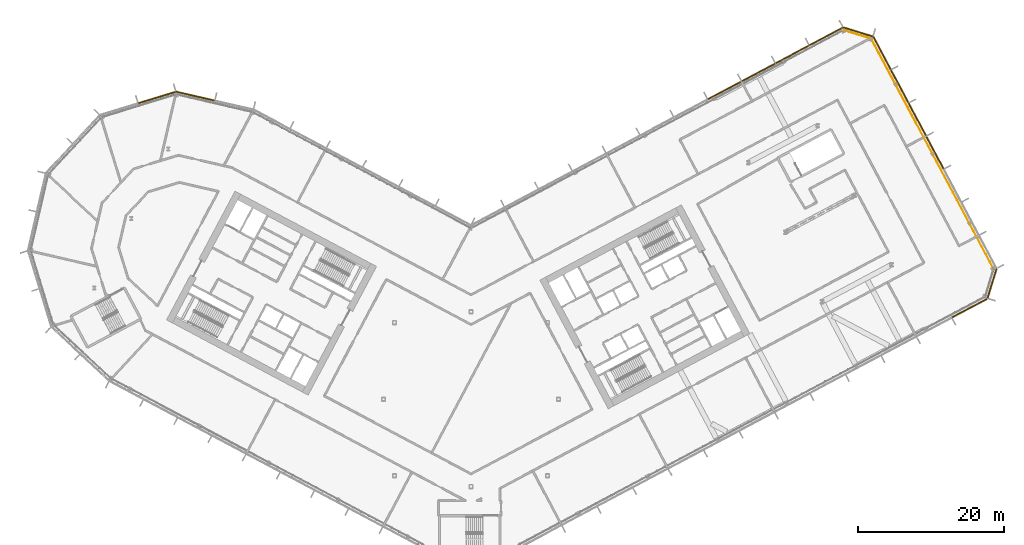
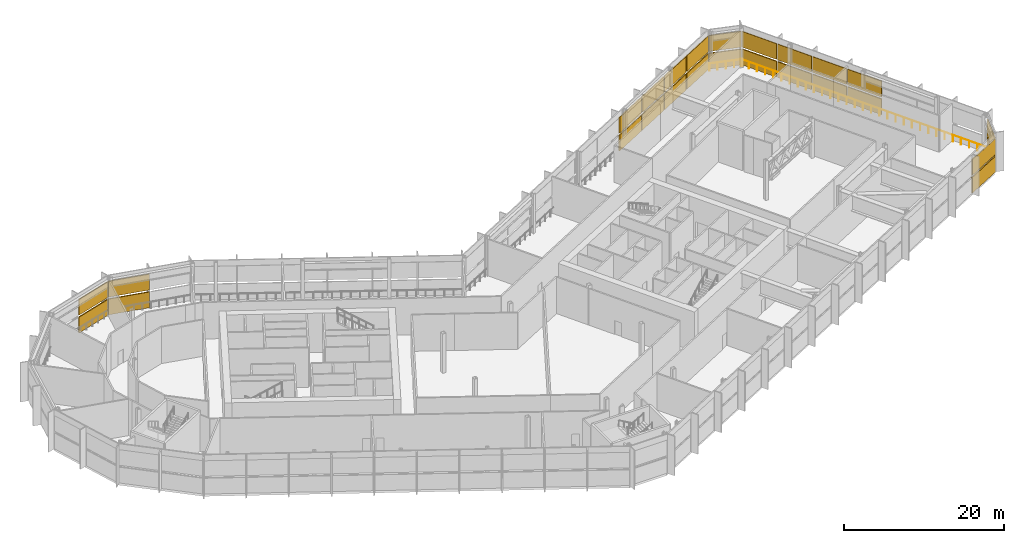
# One storey, part 32 of 33: 26 shading devices, 2 railings, 7 elements without a shape of their own.
"""IFC4 building model written with IfcOpenShell, lengths in metres."""

from ifc_helpers import new_model, si_unit, direction, frame, origin, origin_2d, place, context, subcontext, project, spatial, polyline, rectangle, outline, extrude, material, layer, layer_set, type_object, element, aggregate, save


model = new_model("IFC4")

# Units and contexts
model_context = context("Model", 3, precision=1e-05, world=origin(), true_north=direction((0.0, 1.0)))
body_context = subcontext(model_context, "Body", "Model", "MODEL_VIEW")
ifc_project = project(units=[si_unit("LENGTHUNIT", "METRE"), si_unit("AREAUNIT", "SQUARE_METRE"), si_unit("VOLUMEUNIT", "CUBIC_METRE"), si_unit("PLANEANGLEUNIT", "RADIAN"), si_unit("MASSUNIT", "GRAM", prefix="KILO")], contexts=[model_context])

# Site, building, storey
site_placement = place(None, origin())
site = spatial("IfcSite", under=ifc_project, at=site_placement, CompositionType="ELEMENT")
building_placement = place(site_placement, origin())
building = spatial("IfcBuilding", under=site, at=building_placement, Name="Cormorant Relay Tower", CompositionType="ELEMENT")
storey_placement = place(building_placement, frame((0.0, 0.0, 112.199951171875)))
storey = spatial("IfcBuildingStorey", under=building, at=storey_placement, Name="L22", CompositionType="ELEMENT", Elevation=112.199951171875)

# Railings
ifc_material_1 = material(Name="Stainless steel 316 guard", Category="steel")
railing_type = type_object("IfcRailingType", Name="Band louvre guard 1100", PredefinedType="GUARDRAIL", material=ifc_material_1)
railing_1_placement = place(storey_placement, frame((71.7578125, 17.76806640625, 0.0)))
element("IfcRailing", 1, at=railing_1_placement, inside=storey, type_object=railing_type, Name="CW4 guard 4", PredefinedType="GUARDRAIL", context=body_context, shape_type="SweptSolid", body=[
    extrude(outline(polyline([(0.022216796875, 0.00927734375), (0.00927734375, 0.022216796875), (-0.00927734375, 0.022216796875), (-0.022216796875, 0.00927734375), (-0.022216796875, -0.00927734375), (-0.00927734375, -0.022216796875), (0.00927734375, -0.022216796875), (0.022216796875, -0.00927734375), (0.022216796875, 0.00927734375)])), frame((0.0, 0.0, 1.076171875), z_axis=(-0.469469230355, 0.88294883303, 0.0), x_axis=(-0.88294883303, -0.469469230355, 0.0)), (0.0, 0.0, 1.0), 36.0),
    extrude(outline(polyline([(0.019287109375, 0.008056640625), (0.008056640625, 0.019287109375), (-0.008056640625, 0.019287109375), (-0.019287109375, 0.008056640625), (-0.019287109375, -0.008056640625), (-0.008056640625, -0.019287109375), (0.008056640625, -0.019287109375), (0.019287109375, -0.008056640625), (0.019287109375, 0.008056640625)])), origin(), (0.0, 0.0, 1.0), 1.052001953125),
    extrude(outline(polyline([(0.019287109375, 0.008056640625), (0.008056640625, 0.019287109375), (-0.008056640625, 0.019287109375), (-0.019287109375, 0.008056640625), (-0.019287109375, -0.008056640625), (-0.008056640625, -0.019287109375), (0.008056640625, -0.019287109375), (0.019287109375, -0.008056640625), (0.019287109375, 0.008056640625)])), frame((-0.5634765625, 1.0595703125, 0.0)), (0.0, 0.0, 1.0), 1.052001953125),
    extrude(outline(polyline([(0.019287109375, 0.008056640625), (0.008056640625, 0.019287109375), (-0.008056640625, 0.019287109375), (-0.019287109375, 0.008056640625), (-0.019287109375, -0.008056640625), (-0.008056640625, -0.019287109375), (0.008056640625, -0.019287109375), (0.019287109375, -0.008056640625), (0.019287109375, 0.008056640625)])), frame((-1.126708984375, 2.119140625, 0.0)), (0.0, 0.0, 1.0), 1.052001953125),
    extrude(outline(polyline([(0.019287109375, 0.008056640625), (0.008056640625, 0.019287109375), (-0.008056640625, 0.019287109375), (-0.019287109375, 0.008056640625), (-0.019287109375, -0.008056640625), (-0.008056640625, -0.019287109375), (0.008056640625, -0.019287109375), (0.019287109375, -0.008056640625), (0.019287109375, 0.008056640625)])), frame((-1.690185546875, 3.1787109375, 0.0)), (0.0, 0.0, 1.0), 1.052001953125),
    extrude(outline(polyline([(0.019287109375, 0.008056640625), (0.008056640625, 0.019287109375), (-0.008056640625, 0.019287109375), (-0.019287109375, 0.008056640625), (-0.019287109375, -0.008056640625), (-0.008056640625, -0.019287109375), (0.008056640625, -0.019287109375), (0.019287109375, -0.008056640625), (0.019287109375, 0.008056640625)])), frame((-2.25341796875, 4.238037109375, 0.0)), (0.0, 0.0, 1.0), 1.052001953125),
    extrude(outline(polyline([(0.019287109375, 0.008056640625), (0.008056640625, 0.019287109375), (-0.008056640625, 0.019287109375), (-0.019287109375, 0.008056640625), (-0.019287109375, -0.008056640625), (-0.008056640625, -0.019287109375), (0.008056640625, -0.019287109375), (0.019287109375, -0.008056640625), (0.019287109375, 0.008056640625)])), frame((-2.81689453125, 5.297607421875, 0.0)), (0.0, 0.0, 1.0), 1.052001953125),
    extrude(outline(polyline([(0.019287109375, 0.008056640625), (0.008056640625, 0.019287109375), (-0.008056640625, 0.019287109375), (-0.019287109375, 0.008056640625), (-0.019287109375, -0.008056640625), (-0.008056640625, -0.019287109375), (0.008056640625, -0.019287109375), (0.019287109375, -0.008056640625), (0.019287109375, 0.008056640625)])), frame((-3.380126953125, 6.357177734375, 0.0)), (0.0, 0.0, 1.0), 1.052001953125),
    extrude(outline(polyline([(0.019287109375, 0.008056640625), (0.008056640625, 0.019287109375), (-0.008056640625, 0.019287109375), (-0.019287109375, 0.008056640625), (-0.019287109375, -0.008056640625), (-0.008056640625, -0.019287109375), (0.008056640625, -0.019287109375), (0.019287109375, -0.008056640625), (0.019287109375, 0.008056640625)])), frame((-3.943603515625, 7.416748046875, 0.0)), (0.0, 0.0, 1.0), 1.052001953125),
    extrude(outline(polyline([(0.019287109375, 0.008056640625), (0.008056640625, 0.019287109375), (-0.008056640625, 0.019287109375), (-0.019287109375, 0.008056640625), (-0.019287109375, -0.008056640625), (-0.008056640625, -0.019287109375), (0.008056640625, -0.019287109375), (0.019287109375, -0.008056640625), (0.019287109375, 0.008056640625)])), frame((-4.5068359375, 8.476318359375, 0.0)), (0.0, 0.0, 1.0), 1.052001953125),
    extrude(outline(polyline([(0.019287109375, 0.008056640625), (0.008056640625, 0.019287109375), (-0.008056640625, 0.019287109375), (-0.019287109375, 0.008056640625), (-0.019287109375, -0.008056640625), (-0.008056640625, -0.019287109375), (0.008056640625, -0.019287109375), (0.019287109375, -0.008056640625), (0.019287109375, 0.008056640625)])), frame((-5.0703125, 9.535888671875, 0.0)), (0.0, 0.0, 1.0), 1.052001953125),
    extrude(outline(polyline([(0.019287109375, 0.008056640625), (0.008056640625, 0.019287109375), (-0.008056640625, 0.019287109375), (-0.019287109375, 0.008056640625), (-0.019287109375, -0.008056640625), (-0.008056640625, -0.019287109375), (0.008056640625, -0.019287109375), (0.019287109375, -0.008056640625), (0.019287109375, 0.008056640625)])), frame((-5.633544921875, 10.595458984375, 0.0)), (0.0, 0.0, 1.0), 1.052001953125),
    extrude(outline(polyline([(0.019287109375, 0.008056640625), (0.008056640625, 0.019287109375), (-0.008056640625, 0.019287109375), (-0.019287109375, 0.008056640625), (-0.019287109375, -0.008056640625), (-0.008056640625, -0.019287109375), (0.008056640625, -0.019287109375), (0.019287109375, -0.008056640625), (0.019287109375, 0.008056640625)])), frame((-6.197021484375, 11.655029296875, 0.0)), (0.0, 0.0, 1.0), 1.052001953125),
    extrude(outline(polyline([(0.019287109375, 0.008056640625), (0.008056640625, 0.019287109375), (-0.008056640625, 0.019287109375), (-0.019287109375, 0.008056640625), (-0.019287109375, -0.008056640625), (-0.008056640625, -0.019287109375), (0.008056640625, -0.019287109375), (0.019287109375, -0.008056640625), (0.019287109375, 0.008056640625)])), frame((-6.76025390625, 12.71435546875, 0.0)), (0.0, 0.0, 1.0), 1.052001953125),
    extrude(outline(polyline([(0.019287109375, 0.008056640625), (0.008056640625, 0.019287109375), (-0.008056640625, 0.019287109375), (-0.019287109375, 0.008056640625), (-0.019287109375, -0.008056640625), (-0.008056640625, -0.019287109375), (0.008056640625, -0.019287109375), (0.019287109375, -0.008056640625), (0.019287109375, 0.008056640625)])), frame((-7.32373046875, 13.77392578125, 0.0)), (0.0, 0.0, 1.0), 1.052001953125),
    extrude(outline(polyline([(0.019287109375, 0.008056640625), (0.008056640625, 0.019287109375), (-0.008056640625, 0.019287109375), (-0.019287109375, 0.008056640625), (-0.019287109375, -0.008056640625), (-0.008056640625, -0.019287109375), (0.008056640625, -0.019287109375), (0.019287109375, -0.008056640625), (0.019287109375, 0.008056640625)])), frame((-7.886962890625, 14.83349609375, 0.0)), (0.0, 0.0, 1.0), 1.052001953125),
    extrude(outline(polyline([(0.019287109375, 0.008056640625), (0.008056640625, 0.019287109375), (-0.008056640625, 0.019287109375), (-0.019287109375, 0.008056640625), (-0.019287109375, -0.008056640625), (-0.008056640625, -0.019287109375), (0.008056640625, -0.019287109375), (0.019287109375, -0.008056640625), (0.019287109375, 0.008056640625)])), frame((-8.450439453125, 15.89306640625, 0.0)), (0.0, 0.0, 1.0), 1.052001953125),
    extrude(outline(polyline([(0.019287109375, 0.008056640625), (0.008056640625, 0.019287109375), (-0.008056640625, 0.019287109375), (-0.019287109375, 0.008056640625), (-0.019287109375, -0.008056640625), (-0.008056640625, -0.019287109375), (0.008056640625, -0.019287109375), (0.019287109375, -0.008056640625), (0.019287109375, 0.008056640625)])), frame((-9.013916015625, 16.95263671875, 0.0)), (0.0, 0.0, 1.0), 1.052001953125),
    extrude(outline(polyline([(0.019287109375, 0.008056640625), (0.008056640625, 0.019287109375), (-0.008056640625, 0.019287109375), (-0.019287109375, 0.008056640625), (-0.019287109375, -0.008056640625), (-0.008056640625, -0.019287109375), (0.008056640625, -0.019287109375), (0.019287109375, -0.008056640625), (0.019287109375, 0.008056640625)])), frame((-9.5771484375, 18.01220703125, 0.0)), (0.0, 0.0, 1.0), 1.052001953125),
    extrude(outline(polyline([(0.019287109375, 0.008056640625), (0.008056640625, 0.019287109375), (-0.008056640625, 0.019287109375), (-0.019287109375, 0.008056640625), (-0.019287109375, -0.008056640625), (-0.008056640625, -0.019287109375), (0.008056640625, -0.019287109375), (0.019287109375, -0.008056640625), (0.019287109375, 0.008056640625)])), frame((-10.140625, 19.07177734375, 0.0)), (0.0, 0.0, 1.0), 1.052001953125),
    extrude(outline(polyline([(0.019287109375, 0.008056640625), (0.008056640625, 0.019287109375), (-0.008056640625, 0.019287109375), (-0.019287109375, 0.008056640625), (-0.019287109375, -0.008056640625), (-0.008056640625, -0.019287109375), (0.008056640625, -0.019287109375), (0.019287109375, -0.008056640625), (0.019287109375, 0.008056640625)])), frame((-10.703857421875, 20.131103515625, 0.0)), (0.0, 0.0, 1.0), 1.052001953125),
    extrude(outline(polyline([(0.019287109375, 0.008056640625), (0.008056640625, 0.019287109375), (-0.008056640625, 0.019287109375), (-0.019287109375, 0.008056640625), (-0.019287109375, -0.008056640625), (-0.008056640625, -0.019287109375), (0.008056640625, -0.019287109375), (0.019287109375, -0.008056640625), (0.019287109375, 0.008056640625)])), frame((-11.267333984375, 21.190673828125, 0.0)), (0.0, 0.0, 1.0), 1.052001953125),
    extrude(outline(polyline([(0.019287109375, 0.008056640625), (0.008056640625, 0.019287109375), (-0.008056640625, 0.019287109375), (-0.019287109375, 0.008056640625), (-0.019287109375, -0.008056640625), (-0.008056640625, -0.019287109375), (0.008056640625, -0.019287109375), (0.019287109375, -0.008056640625), (0.019287109375, 0.008056640625)])), frame((-11.83056640625, 22.250244140625, 0.0)), (0.0, 0.0, 1.0), 1.052001953125),
    extrude(outline(polyline([(0.019287109375, 0.008056640625), (0.008056640625, 0.019287109375), (-0.008056640625, 0.019287109375), (-0.019287109375, 0.008056640625), (-0.019287109375, -0.008056640625), (-0.008056640625, -0.019287109375), (0.008056640625, -0.019287109375), (0.019287109375, -0.008056640625), (0.019287109375, 0.008056640625)])), frame((-12.39404296875, 23.309814453125, 0.0)), (0.0, 0.0, 1.0), 1.052001953125),
    extrude(outline(polyline([(0.019287109375, 0.008056640625), (0.008056640625, 0.019287109375), (-0.008056640625, 0.019287109375), (-0.019287109375, 0.008056640625), (-0.019287109375, -0.008056640625), (-0.008056640625, -0.019287109375), (0.008056640625, -0.019287109375), (0.019287109375, -0.008056640625), (0.019287109375, 0.008056640625)])), frame((-12.957275390625, 24.369384765625, 0.0)), (0.0, 0.0, 1.0), 1.052001953125),
    extrude(outline(polyline([(0.019287109375, 0.008056640625), (0.008056640625, 0.019287109375), (-0.008056640625, 0.019287109375), (-0.019287109375, 0.008056640625), (-0.019287109375, -0.008056640625), (-0.008056640625, -0.019287109375), (0.008056640625, -0.019287109375), (0.019287109375, -0.008056640625), (0.019287109375, 0.008056640625)])), frame((-13.520751953125, 25.428955078125, 0.0)), (0.0, 0.0, 1.0), 1.052001953125),
    extrude(outline(polyline([(0.019287109375, 0.008056640625), (0.008056640625, 0.019287109375), (-0.008056640625, 0.019287109375), (-0.019287109375, 0.008056640625), (-0.019287109375, -0.008056640625), (-0.008056640625, -0.019287109375), (0.008056640625, -0.019287109375), (0.019287109375, -0.008056640625), (0.019287109375, 0.008056640625)])), frame((-14.083984375, 26.488525390625, 0.0)), (0.0, 0.0, 1.0), 1.052001953125),
    extrude(outline(polyline([(0.019287109375, 0.008056640625), (0.008056640625, 0.019287109375), (-0.008056640625, 0.019287109375), (-0.019287109375, 0.008056640625), (-0.019287109375, -0.008056640625), (-0.008056640625, -0.019287109375), (0.008056640625, -0.019287109375), (0.019287109375, -0.008056640625), (0.019287109375, 0.008056640625)])), frame((-14.6474609375, 27.548095703125, 0.0)), (0.0, 0.0, 1.0), 1.052001953125),
    extrude(outline(polyline([(0.019287109375, 0.008056640625), (0.008056640625, 0.019287109375), (-0.008056640625, 0.019287109375), (-0.019287109375, 0.008056640625), (-0.019287109375, -0.008056640625), (-0.008056640625, -0.019287109375), (0.008056640625, -0.019287109375), (0.019287109375, -0.008056640625), (0.019287109375, 0.008056640625)])), frame((-15.210693359375, 28.607421875, 0.0)), (0.0, 0.0, 1.0), 1.052001953125),
    extrude(outline(polyline([(0.019287109375, 0.008056640625), (0.008056640625, 0.019287109375), (-0.008056640625, 0.019287109375), (-0.019287109375, 0.008056640625), (-0.019287109375, -0.008056640625), (-0.008056640625, -0.019287109375), (0.008056640625, -0.019287109375), (0.019287109375, -0.008056640625), (0.019287109375, 0.008056640625)])), frame((-15.774169921875, 29.6669921875, 0.0)), (0.0, 0.0, 1.0), 1.052001953125),
    extrude(outline(polyline([(0.019287109375, 0.008056640625), (0.008056640625, 0.019287109375), (-0.008056640625, 0.019287109375), (-0.019287109375, 0.008056640625), (-0.019287109375, -0.008056640625), (-0.008056640625, -0.019287109375), (0.008056640625, -0.019287109375), (0.019287109375, -0.008056640625), (0.019287109375, 0.008056640625)])), frame((-16.33740234375, 30.7265625, 0.0)), (0.0, 0.0, 1.0), 1.052001953125),
    extrude(outline(polyline([(0.019287109375, 0.008056640625), (0.008056640625, 0.019287109375), (-0.008056640625, 0.019287109375), (-0.019287109375, 0.008056640625), (-0.019287109375, -0.008056640625), (-0.008056640625, -0.019287109375), (0.008056640625, -0.019287109375), (0.019287109375, -0.008056640625), (0.019287109375, 0.008056640625)])), frame((-16.90087890625, 31.7861328125, 0.0)), (0.0, 0.0, 1.0), 1.052001953125),
])
railing_2_placement = place(storey_placement, frame((55.033935546875, 49.408203125, 0.0)))
element("IfcRailing", 2, at=railing_2_placement, inside=storey, type_object=railing_type, Name="CW4 guard 5", PredefinedType="GUARDRAIL", context=body_context, shape_type="SweptSolid", body=[
    extrude(outline(polyline([(0.022216796875, 0.00927734375), (0.00927734375, 0.022216796875), (-0.00927734375, 0.022216796875), (-0.022216796875, 0.00927734375), (-0.022216796875, -0.00927734375), (-0.00927734375, -0.022216796875), (0.00927734375, -0.022216796875), (0.022216796875, -0.00927734375), (0.022216796875, 0.00927734375)])), frame((0.0, 0.0, 1.076171875), z_axis=(-0.956314931686, 0.292338419362, 0.0), x_axis=(-0.292338419362, -0.956314931686, 0.0)), (0.0, 0.0, 1.0), 4.242431640625),
    extrude(outline(polyline([(0.019287109375, 0.008056640625), (0.008056640625, 0.019287109375), (-0.008056640625, 0.019287109375), (-0.019287109375, 0.008056640625), (-0.019287109375, -0.008056640625), (-0.008056640625, -0.019287109375), (0.008056640625, -0.019287109375), (0.019287109375, -0.008056640625), (0.019287109375, 0.008056640625)])), origin(), (0.0, 0.0, 1.0), 1.052001953125),
    extrude(outline(polyline([(0.019287109375, 0.008056640625), (0.008056640625, 0.019287109375), (-0.008056640625, 0.019287109375), (-0.019287109375, 0.008056640625), (-0.019287109375, -0.008056640625), (-0.008056640625, -0.019287109375), (0.008056640625, -0.019287109375), (0.019287109375, -0.008056640625), (0.019287109375, 0.008056640625)])), frame((-1.01416015625, 0.31005859375, 0.0)), (0.0, 0.0, 1.0), 1.052001953125),
    extrude(outline(polyline([(0.019287109375, 0.008056640625), (0.008056640625, 0.019287109375), (-0.008056640625, 0.019287109375), (-0.019287109375, 0.008056640625), (-0.019287109375, -0.008056640625), (-0.008056640625, -0.019287109375), (0.008056640625, -0.019287109375), (0.019287109375, -0.008056640625), (0.019287109375, 0.008056640625)])), frame((-2.028564453125, 0.6201171875, 0.0)), (0.0, 0.0, 1.0), 1.052001953125),
    extrude(outline(polyline([(0.019287109375, 0.008056640625), (0.008056640625, 0.019287109375), (-0.008056640625, 0.019287109375), (-0.019287109375, 0.008056640625), (-0.019287109375, -0.008056640625), (-0.008056640625, -0.019287109375), (0.008056640625, -0.019287109375), (0.019287109375, -0.008056640625), (0.019287109375, 0.008056640625)])), frame((-3.04296875, 0.93017578125, 0.0)), (0.0, 0.0, 1.0), 1.052001953125),
    extrude(outline(polyline([(0.019287109375, 0.008056640625), (0.008056640625, 0.019287109375), (-0.008056640625, 0.019287109375), (-0.019287109375, 0.008056640625), (-0.019287109375, -0.008056640625), (-0.008056640625, -0.019287109375), (0.008056640625, -0.019287109375), (0.019287109375, -0.008056640625), (0.019287109375, 0.008056640625)])), frame((-4.05712890625, 1.240234375, 0.0)), (0.0, 0.0, 1.0), 1.052001953125),
])

# Curtain wall, shading devices
ifc_material_2 = material(Name="Aluminium 6063-T6 anodised bronze", Category="aluminium")
ifc_layer = layer(ifc_material_2, 0.199951171875)
ifc_layer_set = layer_set([ifc_layer], Name="CW4 band louvre wall")
curtain_wall_type = type_object("IfcCurtainWallType", Name="CW4 band louvre wall", PredefinedType="NOTDEFINED", material=ifc_layer_set)
curtain_wall_1_placement = place(storey_placement, origin())
curtain_wall_1 = element("IfcCurtainWall", 3, at=curtain_wall_1_placement, inside=storey, type_object=curtain_wall_type, Name="CW4 curtain wall 2", PredefinedType="NOTDEFINED")
ifc_material_3 = material(Name="Aluminium 6063-T6 anodised bronze louvre", Category="aluminium")
shading_device_type = type_object("IfcShadingDeviceType", Name="CW4 bronze louvre bank 150 x 2400", PredefinedType="USERDEFINED", material=ifc_material_3)
shading_device_1_placement = place(storey_placement, frame((68.417236328125, 12.50927734375, 2.7001953125), z_axis=(0.0, 0.0, 1.0), x_axis=(0.882947592859, 0.469471562786, 0.0)))
shading_device_1 = element("IfcShadingDevice", 4, at=shading_device_1_placement, type_object=shading_device_type, Name="CW4 louvre bank U2.14", ObjectType="LOUVRE", PredefinedType="USERDEFINED", context=body_context, shape_type="SweptSolid", body=[
    extrude(rectangle(XDim=5.436767578125, YDim=0.14990234375, at=origin_2d()), origin(), (0.0, 0.0, 1.0), 2.39990234375),
])
shading_device_2_placement = place(storey_placement, frame((68.417236328125, 12.50927734375, 0.0), z_axis=(0.0, 0.0, 1.0), x_axis=(0.882947592859, 0.469471562786, 0.0)))
shading_device_2 = element("IfcShadingDevice", 5, at=shading_device_2_placement, type_object=shading_device_type, Name="CW4 louvre bank D2.14", ObjectType="LOUVRE", PredefinedType="USERDEFINED", context=body_context, shape_type="SweptSolid", body=[
    extrude(rectangle(XDim=5.436767578125, YDim=0.14990234375, at=origin_2d()), origin(), (0.0, 0.0, 1.0), 2.39990234375),
])
aggregate(curtain_wall_1, [shading_device_1, shading_device_2])

curtain_wall_2_placement = place(storey_placement, origin())
curtain_wall_2 = element("IfcCurtainWall", 6, at=curtain_wall_2_placement, inside=storey, type_object=curtain_wall_type, Name="CW4 curtain wall 3", PredefinedType="NOTDEFINED")
shading_device_3_placement = place(storey_placement, frame((71.485107421875, 15.894287109375, 2.7001953125), z_axis=(0.0, 0.0, 1.0), x_axis=(0.292371704723, 0.956304755963, 0.0)))
shading_device_3 = element("IfcShadingDevice", 7, at=shading_device_3_placement, type_object=shading_device_type, Name="CW4 louvre bank U3.1", ObjectType="LOUVRE", PredefinedType="USERDEFINED", context=body_context, shape_type="SweptSolid", body=[
    extrude(rectangle(XDim=4.16748046875, YDim=0.14990234375, at=origin_2d()), origin(), (0.0, 0.0, 1.0), 2.39990234375),
])
shading_device_4_placement = place(storey_placement, frame((71.485107421875, 15.894287109375, 0.0), z_axis=(0.0, 0.0, 1.0), x_axis=(0.292371704723, 0.956304755963, 0.0)))
shading_device_4 = element("IfcShadingDevice", 8, at=shading_device_4_placement, type_object=shading_device_type, Name="CW4 louvre bank D3.1", ObjectType="LOUVRE", PredefinedType="USERDEFINED", context=body_context, shape_type="SweptSolid", body=[
    extrude(rectangle(XDim=4.16748046875, YDim=0.14990234375, at=origin_2d()), origin(), (0.0, 0.0, 1.0), 2.39990234375),
])
aggregate(curtain_wall_2, [shading_device_3, shading_device_4])

curtain_wall_3_placement = place(storey_placement, origin())
curtain_wall_3 = element("IfcCurtainWall", 9, at=curtain_wall_3_placement, inside=storey, type_object=curtain_wall_type, Name="CW4 curtain wall 4", PredefinedType="NOTDEFINED")
shading_device_5_placement = place(storey_placement, frame((63.638427734375, 33.837158203125, 2.7001953125), z_axis=(0.0, 0.0, 1.0), x_axis=(-0.469471562786, 0.882947592859, 0.0)))
shading_device_5 = element("IfcShadingDevice", 10, at=shading_device_5_placement, type_object=shading_device_type, Name="CW4 louvre bank U4.4", ObjectType="LOUVRE", PredefinedType="USERDEFINED", context=body_context, shape_type="SweptSolid", body=[
    extrude(rectangle(XDim=4.992919921875, YDim=0.14990234375, at=origin_2d()), origin(), (0.0, 0.0, 1.0), 2.39990234375),
])
shading_device_6_placement = place(storey_placement, frame((63.638427734375, 33.837158203125, 0.0), z_axis=(0.0, 0.0, 1.0), x_axis=(-0.469471562786, 0.882947592859, 0.0)))
shading_device_6 = element("IfcShadingDevice", 11, at=shading_device_6_placement, type_object=shading_device_type, Name="CW4 louvre bank D4.4", ObjectType="LOUVRE", PredefinedType="USERDEFINED", context=body_context, shape_type="SweptSolid", body=[
    extrude(rectangle(XDim=4.992919921875, YDim=0.14990234375, at=origin_2d()), origin(), (0.0, 0.0, 1.0), 2.39990234375),
])
shading_device_7_placement = place(storey_placement, frame((61.22412109375, 38.3779296875, 2.7001953125), z_axis=(0.0, 0.0, 1.0), x_axis=(-0.469471562786, 0.882947592859, 0.0)))
shading_device_7 = element("IfcShadingDevice", 12, at=shading_device_7_placement, type_object=shading_device_type, Name="CW4 louvre bank U4.5", ObjectType="LOUVRE", PredefinedType="USERDEFINED", context=body_context, shape_type="SweptSolid", body=[
    extrude(rectangle(XDim=4.992919921875, YDim=0.14990234375, at=origin_2d()), origin(), (0.0, 0.0, 1.0), 2.39990234375),
])
shading_device_8_placement = place(storey_placement, frame((61.22412109375, 38.3779296875, 0.0), z_axis=(0.0, 0.0, 1.0), x_axis=(-0.469471562786, 0.882947592859, 0.0)))
shading_device_8 = element("IfcShadingDevice", 13, at=shading_device_8_placement, type_object=shading_device_type, Name="CW4 louvre bank D4.5", ObjectType="LOUVRE", PredefinedType="USERDEFINED", context=body_context, shape_type="SweptSolid", body=[
    extrude(rectangle(XDim=4.992919921875, YDim=0.14990234375, at=origin_2d()), origin(), (0.0, 0.0, 1.0), 2.39990234375),
])
shading_device_9_placement = place(storey_placement, frame((58.8095703125, 42.9189453125, 2.7001953125), z_axis=(0.0, 0.0, 1.0), x_axis=(-0.469471562786, 0.882947592859, 0.0)))
shading_device_9 = element("IfcShadingDevice", 14, at=shading_device_9_placement, type_object=shading_device_type, Name="CW4 louvre bank U4.6", ObjectType="LOUVRE", PredefinedType="USERDEFINED", context=body_context, shape_type="SweptSolid", body=[
    extrude(rectangle(XDim=4.992919921875, YDim=0.14990234375, at=origin_2d()), origin(), (0.0, 0.0, 1.0), 2.39990234375),
])
shading_device_10_placement = place(storey_placement, frame((58.8095703125, 42.9189453125, 0.0), z_axis=(0.0, 0.0, 1.0), x_axis=(-0.469471562786, 0.882947592859, 0.0)))
shading_device_10 = element("IfcShadingDevice", 15, at=shading_device_10_placement, type_object=shading_device_type, Name="CW4 louvre bank D4.6", ObjectType="LOUVRE", PredefinedType="USERDEFINED", context=body_context, shape_type="SweptSolid", body=[
    extrude(rectangle(XDim=4.992919921875, YDim=0.14990234375, at=origin_2d()), origin(), (0.0, 0.0, 1.0), 2.39990234375),
])
shading_device_11_placement = place(storey_placement, frame((56.377685546875, 47.492919921875, 2.7001953125), z_axis=(0.0, 0.0, 1.0), x_axis=(-0.469471562786, 0.882947592859, 0.0)))
shading_device_11 = element("IfcShadingDevice", 16, at=shading_device_11_placement, type_object=shading_device_type, Name="CW4 louvre bank U4.7", ObjectType="LOUVRE", PredefinedType="USERDEFINED", context=body_context, shape_type="SweptSolid", body=[
    extrude(rectangle(XDim=5.06787109375, YDim=0.14990234375, at=origin_2d()), origin(), (0.0, 0.0, 1.0), 2.39990234375),
])
shading_device_12_placement = place(storey_placement, frame((56.377685546875, 47.492919921875, 0.0), z_axis=(0.0, 0.0, 1.0), x_axis=(-0.469471562786, 0.882947592859, 0.0)))
shading_device_12 = element("IfcShadingDevice", 17, at=shading_device_12_placement, type_object=shading_device_type, Name="CW4 louvre bank D4.7", ObjectType="LOUVRE", PredefinedType="USERDEFINED", context=body_context, shape_type="SweptSolid", body=[
    extrude(rectangle(XDim=5.06787109375, YDim=0.14990234375, at=origin_2d()), origin(), (0.0, 0.0, 1.0), 2.39990234375),
])
aggregate(curtain_wall_3, [shading_device_5, shading_device_6, shading_device_7, shading_device_8, shading_device_9, shading_device_10, shading_device_11, shading_device_12])

curtain_wall_4_placement = place(storey_placement, origin())
curtain_wall_4 = element("IfcCurtainWall", 18, at=curtain_wall_4_placement, inside=storey, type_object=curtain_wall_type, Name="CW4 curtain wall 5", PredefinedType="NOTDEFINED")
shading_device_13_placement = place(storey_placement, frame((53.0791015625, 50.39794921875, 2.7001953125), z_axis=(0.0, 0.0, 1.0), x_axis=(-0.956304755963, 0.292371704723, 0.0)))
shading_device_13 = element("IfcShadingDevice", 19, at=shading_device_13_placement, type_object=shading_device_type, Name="CW4 louvre bank U5.1", ObjectType="LOUVRE", PredefinedType="USERDEFINED", context=body_context, shape_type="SweptSolid", body=[
    extrude(rectangle(XDim=4.16748046875, YDim=0.14990234375, at=origin_2d()), origin(), (0.0, 0.0, 1.0), 2.39990234375),
])
shading_device_14_placement = place(storey_placement, frame((53.0791015625, 50.39794921875, 0.0), z_axis=(0.0, 0.0, 1.0), x_axis=(-0.956304755963, 0.292371704723, 0.0)))
shading_device_14 = element("IfcShadingDevice", 20, at=shading_device_14_placement, type_object=shading_device_type, Name="CW4 louvre bank D5.1", ObjectType="LOUVRE", PredefinedType="USERDEFINED", context=body_context, shape_type="SweptSolid", body=[
    extrude(rectangle(XDim=4.16748046875, YDim=0.14990234375, at=origin_2d()), origin(), (0.0, 0.0, 1.0), 2.39990234375),
])
aggregate(curtain_wall_4, [shading_device_13, shading_device_14])

curtain_wall_5_placement = place(storey_placement, origin())
curtain_wall_5 = element("IfcCurtainWall", 21, at=curtain_wall_5_placement, inside=storey, type_object=curtain_wall_type, Name="CW4 curtain wall 6", PredefinedType="NOTDEFINED")
shading_device_15_placement = place(storey_placement, frame((48.708251953125, 49.767578125, 2.7001953125), z_axis=(0.0, 0.0, 1.0), x_axis=(-0.882947592859, -0.469471562786, 0.0)))
shading_device_15 = element("IfcShadingDevice", 22, at=shading_device_15_placement, type_object=shading_device_type, Name="CW4 louvre bank U6.1", ObjectType="LOUVRE", PredefinedType="USERDEFINED", context=body_context, shape_type="SweptSolid", body=[
    extrude(rectangle(XDim=5.107666015625, YDim=0.14990234375, at=origin_2d()), origin(), (0.0, 0.0, 1.0), 2.39990234375),
])
shading_device_16_placement = place(storey_placement, frame((48.708251953125, 49.767578125, 0.0), z_axis=(0.0, 0.0, 1.0), x_axis=(-0.882947592859, -0.469471562786, 0.0)))
shading_device_16 = element("IfcShadingDevice", 23, at=shading_device_16_placement, type_object=shading_device_type, Name="CW4 louvre bank D6.1", ObjectType="LOUVRE", PredefinedType="USERDEFINED", context=body_context, shape_type="SweptSolid", body=[
    extrude(rectangle(XDim=5.107666015625, YDim=0.14990234375, at=origin_2d()), origin(), (0.0, 0.0, 1.0), 2.39990234375),
])
shading_device_17_placement = place(storey_placement, frame((44.06591796875, 47.29931640625, 2.7001953125), z_axis=(0.0, 0.0, 1.0), x_axis=(-0.882947592859, -0.469471562786, 0.0)))
shading_device_17 = element("IfcShadingDevice", 24, at=shading_device_17_placement, type_object=shading_device_type, Name="CW4 louvre bank U6.2", ObjectType="LOUVRE", PredefinedType="USERDEFINED", context=body_context, shape_type="SweptSolid", body=[
    extrude(rectangle(XDim=5.107666015625, YDim=0.14990234375, at=origin_2d()), origin(), (0.0, 0.0, 1.0), 2.39990234375),
])
shading_device_18_placement = place(storey_placement, frame((44.06591796875, 47.29931640625, 0.0), z_axis=(0.0, 0.0, 1.0), x_axis=(-0.882947592859, -0.469471562786, 0.0)))
shading_device_18 = element("IfcShadingDevice", 25, at=shading_device_18_placement, type_object=shading_device_type, Name="CW4 louvre bank D6.2", ObjectType="LOUVRE", PredefinedType="USERDEFINED", context=body_context, shape_type="SweptSolid", body=[
    extrude(rectangle(XDim=5.107666015625, YDim=0.14990234375, at=origin_2d()), origin(), (0.0, 0.0, 1.0), 2.39990234375),
])
shading_device_19_placement = place(storey_placement, frame((39.423583984375, 44.830810546875, 2.7001953125), z_axis=(0.0, 0.0, 1.0), x_axis=(-0.882947592859, -0.469471562786, 0.0)))
shading_device_19 = element("IfcShadingDevice", 26, at=shading_device_19_placement, type_object=shading_device_type, Name="CW4 louvre bank U6.3", ObjectType="LOUVRE", PredefinedType="USERDEFINED", context=body_context, shape_type="SweptSolid", body=[
    extrude(rectangle(XDim=5.107666015625, YDim=0.14990234375, at=origin_2d()), origin(), (0.0, 0.0, 1.0), 2.39990234375),
])
shading_device_20_placement = place(storey_placement, frame((39.423583984375, 44.830810546875, 0.0), z_axis=(0.0, 0.0, 1.0), x_axis=(-0.882947592859, -0.469471562786, 0.0)))
shading_device_20 = element("IfcShadingDevice", 27, at=shading_device_20_placement, type_object=shading_device_type, Name="CW4 louvre bank D6.3", ObjectType="LOUVRE", PredefinedType="USERDEFINED", context=body_context, shape_type="SweptSolid", body=[
    extrude(rectangle(XDim=5.107666015625, YDim=0.14990234375, at=origin_2d()), origin(), (0.0, 0.0, 1.0), 2.39990234375),
])
shading_device_21_placement = place(storey_placement, frame((34.781494140625, 42.362548828125, 2.7001953125), z_axis=(0.0, 0.0, 1.0), x_axis=(-0.882947592859, -0.469471562786, 0.0)))
shading_device_21 = element("IfcShadingDevice", 28, at=shading_device_21_placement, type_object=shading_device_type, Name="CW4 louvre bank U6.4", ObjectType="LOUVRE", PredefinedType="USERDEFINED", context=body_context, shape_type="SweptSolid", body=[
    extrude(rectangle(XDim=5.107666015625, YDim=0.14990234375, at=origin_2d()), origin(), (0.0, 0.0, 1.0), 2.39990234375),
])
shading_device_22_placement = place(storey_placement, frame((34.781494140625, 42.362548828125, 0.0), z_axis=(0.0, 0.0, 1.0), x_axis=(-0.882947592859, -0.469471562786, 0.0)))
shading_device_22 = element("IfcShadingDevice", 29, at=shading_device_22_placement, type_object=shading_device_type, Name="CW4 louvre bank D6.4", ObjectType="LOUVRE", PredefinedType="USERDEFINED", context=body_context, shape_type="SweptSolid", body=[
    extrude(rectangle(XDim=5.107666015625, YDim=0.14990234375, at=origin_2d()), origin(), (0.0, 0.0, 1.0), 2.39990234375),
])
aggregate(curtain_wall_5, [shading_device_15, shading_device_16, shading_device_17, shading_device_18, shading_device_19, shading_device_20, shading_device_21, shading_device_22])

curtain_wall_6_placement = place(storey_placement, origin())
curtain_wall_6 = element("IfcCurtainWall", 30, at=curtain_wall_6_placement, inside=storey, type_object=curtain_wall_type, Name="CW4 curtain wall 8", PredefinedType="NOTDEFINED")
shading_device_23_placement = place(storey_placement, frame((-37.83740234375, 41.58349609375, 2.7001953125), z_axis=(0.0, 0.0, 1.0), x_axis=(-0.974370064785, 0.224951054344, 0.0)))
shading_device_23 = element("IfcShadingDevice", 31, at=shading_device_23_placement, type_object=shading_device_type, Name="CW4 louvre bank U8.2", ObjectType="LOUVRE", PredefinedType="USERDEFINED", context=body_context, shape_type="SweptSolid", body=[
    extrude(rectangle(XDim=5.360107421875, YDim=0.14990234375, at=origin_2d()), origin(), (0.0, 0.0, 1.0), 2.39990234375),
])
shading_device_24_placement = place(storey_placement, frame((-37.83740234375, 41.58349609375, 0.0), z_axis=(0.0, 0.0, 1.0), x_axis=(-0.974370064785, 0.224951054344, 0.0)))
shading_device_24 = element("IfcShadingDevice", 32, at=shading_device_24_placement, type_object=shading_device_type, Name="CW4 louvre bank D8.2", ObjectType="LOUVRE", PredefinedType="USERDEFINED", context=body_context, shape_type="SweptSolid", body=[
    extrude(rectangle(XDim=5.360107421875, YDim=0.14990234375, at=origin_2d()), origin(), (0.0, 0.0, 1.0), 2.39990234375),
])
aggregate(curtain_wall_6, [shading_device_23, shading_device_24])

curtain_wall_7_placement = place(storey_placement, origin())
curtain_wall_7 = element("IfcCurtainWall", 33, at=curtain_wall_7_placement, inside=storey, type_object=curtain_wall_type, Name="CW4 curtain wall 9", PredefinedType="NOTDEFINED")
shading_device_25_placement = place(storey_placement, frame((-43.086181640625, 41.390625, 2.7001953125), z_axis=(0.0, 0.0, 1.0), x_axis=(-0.956304755963, -0.292371704723, 0.0)))
shading_device_25 = element("IfcShadingDevice", 34, at=shading_device_25_placement, type_object=shading_device_type, Name="CW4 louvre bank U9.1", ObjectType="LOUVRE", PredefinedType="USERDEFINED", context=body_context, shape_type="SweptSolid", body=[
    extrude(rectangle(XDim=5.28515625, YDim=0.14990234375, at=origin_2d()), origin(), (0.0, 0.0, 1.0), 2.39990234375),
])
shading_device_26_placement = place(storey_placement, frame((-43.086181640625, 41.390625, 0.0), z_axis=(0.0, 0.0, 1.0), x_axis=(-0.956304755963, -0.292371704723, 0.0)))
shading_device_26 = element("IfcShadingDevice", 35, at=shading_device_26_placement, type_object=shading_device_type, Name="CW4 louvre bank D9.1", ObjectType="LOUVRE", PredefinedType="USERDEFINED", context=body_context, shape_type="SweptSolid", body=[
    extrude(rectangle(XDim=5.28515625, YDim=0.14990234375, at=origin_2d()), origin(), (0.0, 0.0, 1.0), 2.39990234375),
])
aggregate(curtain_wall_7, [shading_device_25, shading_device_26])

save(model, "model.ifc")
